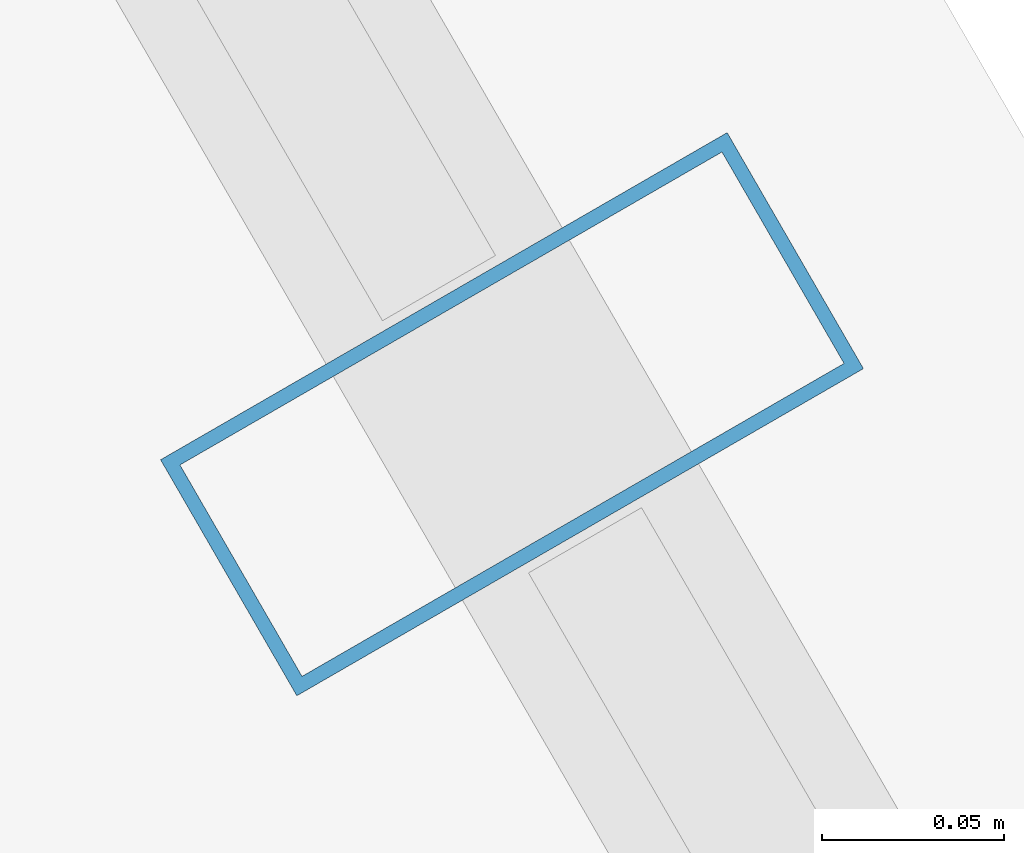
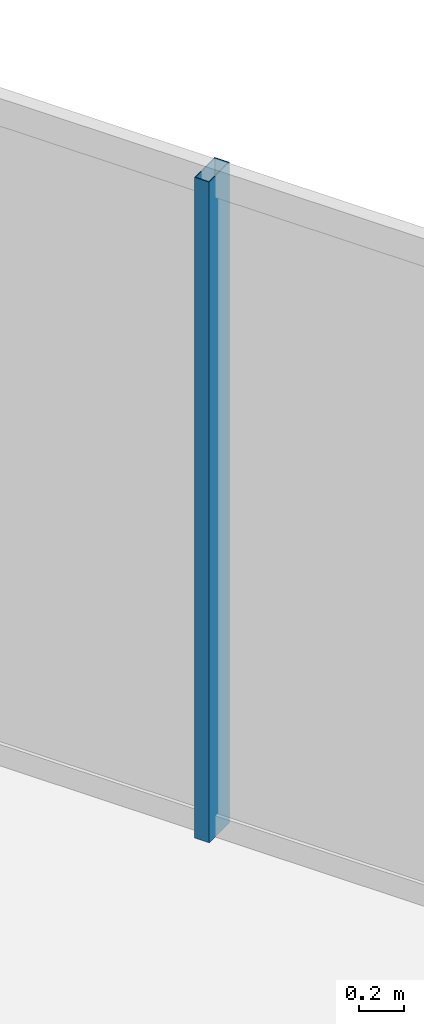
# One storey, part 21 of 32: 1 member, 1 element without a shape of its own.
"""IFC4 building model written with IfcOpenShell, lengths in metres."""

from ifc_helpers import new_model, si_unit, direction, frame, origin, origin_2d, place, context, subcontext, project, spatial, hollow_rectangle, extrude, material, layer, layer_set, material_profile, profile_set, type_object, element, aggregate, save


model = new_model("IFC4")

# Units and contexts
model_context = context("Model", 3, precision=1e-05, world=origin(), true_north=direction((0.0, 1.0)))
body_context = subcontext(model_context, "Body", "Model", "MODEL_VIEW")
ifc_project = project(units=[si_unit("LENGTHUNIT", "METRE"), si_unit("AREAUNIT", "SQUARE_METRE"), si_unit("VOLUMEUNIT", "CUBIC_METRE"), si_unit("PLANEANGLEUNIT", "RADIAN"), si_unit("MASSUNIT", "GRAM", prefix="KILO")], contexts=[model_context])

# Site, building, storey
site_placement = place(None, origin())
site = spatial("IfcSite", under=ifc_project, at=site_placement, CompositionType="ELEMENT")
building_placement = place(site_placement, origin())
building = spatial("IfcBuilding", under=site, at=building_placement, Name="Ndaravel Arena Tower", CompositionType="ELEMENT")
storey_placement = place(building_placement, frame((0.0, 0.0, 96.800048828125)))
storey = spatial("IfcBuildingStorey", under=building, at=storey_placement, Name="L22", CompositionType="ELEMENT", Elevation=96.800048828125)

# Curtain wall, member
ifc_material_1 = material(Name="Aluminium", Category="aluminium")
ifc_layer = layer(ifc_material_1, 0.179931640625)
ifc_layer_set = layer_set([ifc_layer], Name="Aluminium")
curtain_wall_type = type_object("IfcCurtainWallType", Name="CW-SYS-03", PredefinedType="NOTDEFINED", material=ifc_layer_set)
curtain_wall_placement = place(storey_placement, origin())
curtain_wall = element("IfcCurtainWall", 1, at=curtain_wall_placement, inside=storey, type_object=curtain_wall_type, Name="L22 Faceted Crystal Curtain Wall CW-L22-E03", PredefinedType="NOTDEFINED")
ifc_material_2 = material(Name="Aluminium", Category="aluminium")
ifc_material_profile = material_profile(ifc_material_2, hollow_rectangle(XDim=0.074951171875, YDim=0.179931640625, WallThickness=0.00390625, at=origin_2d()), Name="CW MULLION 75x180x4")
ifc_profile_set = profile_set([ifc_material_profile], Name="Aluminium")
member_type = type_object("IfcMemberType", Name="MEM-CW-MUL180", PredefinedType="MULLION", material=ifc_profile_set)
member_placement = place(storey_placement, frame((55.158203125, 35.14404296875, 0.0), z_axis=(0.0, 0.0, 1.0), x_axis=(-0.5, 0.866025403784, 0.0)))
member = element("IfcMember", 2, at=member_placement, type_object=member_type, Name="CW-L22-E03 Mullion 05", PredefinedType="MULLION", context=body_context, shape_type="SweptSolid", body=[
    extrude(hollow_rectangle(XDim=0.074951171875, YDim=0.179931640625, WallThickness=0.00390625, at=origin_2d()), origin(), (0.0, 0.0, 1.0), 3.579833984375),
])
aggregate(curtain_wall, [member])

save(model, "model.ifc")
